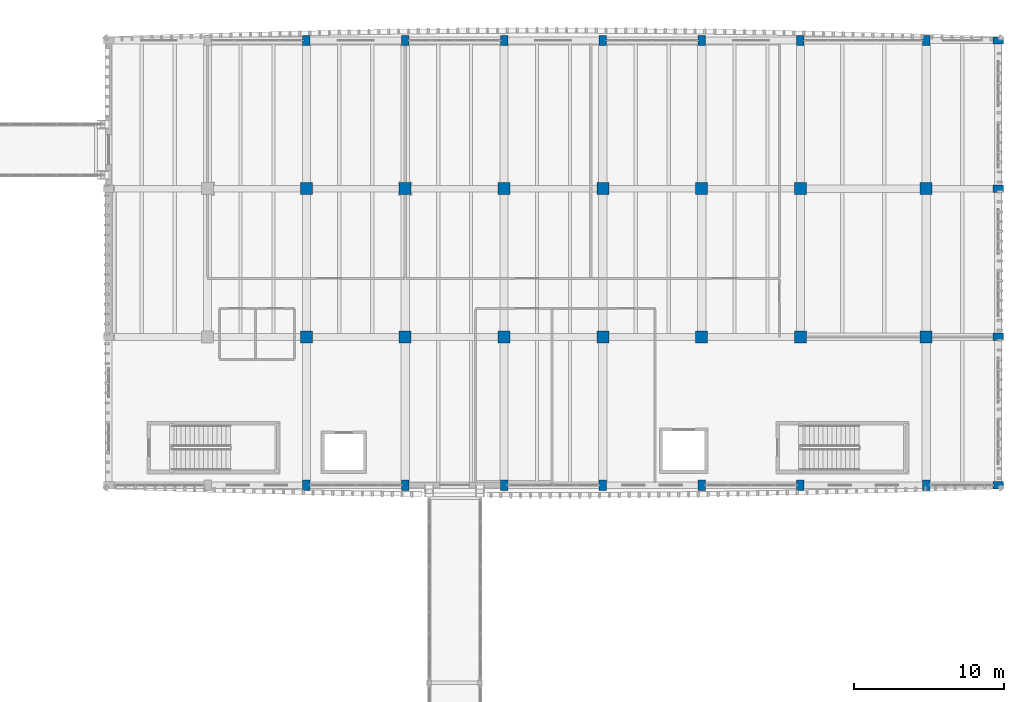
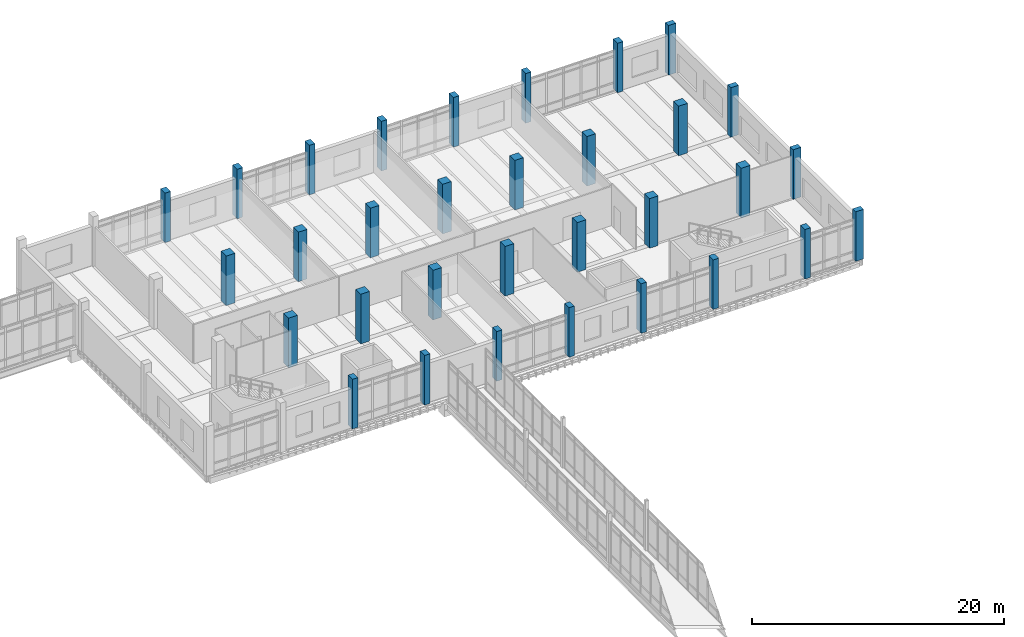
# One storey, part 14 of 125: 32 columns.
"""IFC4 building model written with IfcOpenShell, lengths in metres."""

from ifc_helpers import new_model, si_unit, direction, frame, origin, origin_2d, place, context, subcontext, project, spatial, rectangle, extrude, material, material_profile, profile_set, type_object, element, save


model = new_model("IFC4")

# Units and contexts
model_context = context("Model", 3, precision=1e-05, world=origin(), true_north=direction((0.0, 1.0)))
body_context = subcontext(model_context, "Body", "Model", "MODEL_VIEW")
ifc_project = project(units=[si_unit("LENGTHUNIT", "METRE"), si_unit("AREAUNIT", "SQUARE_METRE"), si_unit("VOLUMEUNIT", "CUBIC_METRE"), si_unit("PLANEANGLEUNIT", "RADIAN"), si_unit("MASSUNIT", "GRAM", prefix="KILO")], contexts=[model_context])

# Site, building, storey
site_placement = place(None, origin())
site = spatial("IfcSite", under=ifc_project, at=site_placement, CompositionType="ELEMENT")
building_placement = place(site_placement, origin())
building = spatial("IfcBuilding", under=site, at=building_placement, Name="Dornvale Research Institute", CompositionType="ELEMENT")
storey_placement = place(building_placement, frame((0.0, 0.0, 5.39990234375)))
storey = spatial("IfcBuildingStorey", under=building, at=storey_placement, Name="L01", CompositionType="ELEMENT", Elevation=5.39990234375)

# Columns
ifc_material_1 = material(Name="Concrete f'c 50 MPa (C40/50)", Category="concrete")
ifc_material_profile_1 = material_profile(ifc_material_1, rectangle(XDim=0.800048828125, YDim=0.800048828125, at=origin_2d()), Name="RC 800x800")
ifc_profile_set_1 = profile_set([ifc_material_profile_1], Name="Concrete f'c 50 MPa (C40/50)")
column_type_1 = type_object("IfcColumnType", Name="Column_RC800", PredefinedType="COLUMN", material=ifc_profile_set_1)
for number, where, z_axis, x_axis, name in (
    (1, (132.0, 102.300048828125, 0.0), (0.0, 0.0, 1.0), (1.0, 0.0, 0.0), "L01 column #503"),
    (2, (132.0, 112.199951171875, 0.0), (0.0, 0.0, 1.0), (1.0, 0.0, 0.0), "L01 column #504"),
    (3, (138.60009765625, 102.300048828125, 0.0), (0.0, 0.0, 1.0), (1.0, 0.0, 0.0), "L01 column #507"),
    (4, (138.60009765625, 112.199951171875, 0.0), (0.0, 0.0, 1.0), (1.0, 0.0, 0.0), "L01 column #508"),
    (5, (145.199951171875, 102.300048828125, 0.0), (0.0, 0.0, 1.0), (1.0, 0.0, 0.0), "L01 column #511"),
    (6, (145.199951171875, 112.199951171875, 0.0), (0.0, 0.0, 1.0), (1.0, 0.0, 0.0), "L01 column #512"),
    (7, (151.800048828125, 102.300048828125, 0.0), (0.0, 0.0, 1.0), (1.0, 0.0, 0.0), "L01 column #515"),
    (8, (151.800048828125, 112.199951171875, 0.0), (0.0, 0.0, 1.0), (1.0, 0.0, 0.0), "L01 column #516"),
    (9, (158.39990234375, 102.300048828125, 0.0), (0.0, 0.0, 1.0), (1.0, 0.0, 0.0), "L01 column #519"),
    (10, (158.39990234375, 112.199951171875, 0.0), (0.0, 0.0, 1.0), (1.0, 0.0, 0.0), "L01 column #520"),
    (11, (165.0, 102.300048828125, 0.0), (0.0, 0.0, 1.0), (1.0, 0.0, 0.0), "L01 column #523"),
    (12, (165.0, 112.199951171875, 0.0), (0.0, 0.0, 1.0), (1.0, 0.0, 0.0), "L01 column #524"),
    (13, (173.39990234375, 102.300048828125, 0.0), (0.0, 0.0, 1.0), (1.0, 0.0, 0.0), "L01 column #527"),
    (14, (173.39990234375, 112.199951171875, 0.0), (0.0, 0.0, 1.0), (1.0, 0.0, 0.0), "L01 column #528"),
):
    element("IfcColumn", number, at=place(storey_placement, frame(where, z_axis=z_axis, x_axis=x_axis)), inside=storey, type_object=column_type_1, Name=name, PredefinedType="COLUMN", context=body_context, shape_type="SweptSolid", body=[
        extrude(rectangle(XDim=0.800048828125, YDim=0.800048828125, at=origin_2d()), origin(), (0.0, 0.0, 1.0), 4.800048828125),
    ])
ifc_material_2 = material(Name="Concrete f'c 50 MPa (C40/50)", Category="concrete")
ifc_material_profile_2 = material_profile(ifc_material_2, rectangle(XDim=0.5, YDim=0.699951171875, at=origin_2d()), Name="RC 500x700")
ifc_profile_set_2 = profile_set([ifc_material_profile_2], Name="Concrete f'c 50 MPa (C40/50)")
column_type_2 = type_object("IfcColumnType", Name="Pilaster_RC500x700_Ext", PredefinedType="PILASTER", material=ifc_profile_set_2)
for number, where, z_axis, x_axis, name in (
    (15, (132.0, 92.39990234375, 0.0), (0.0, 0.0, 1.0), (1.0, 0.0, 0.0), "L01 column #502"),
    (16, (132.0, 122.10009765625, 0.0), (0.0, 0.0, 1.0), (1.0, 0.0, 0.0), "L01 column #505"),
    (17, (138.60009765625, 92.39990234375, 0.0), (0.0, 0.0, 1.0), (1.0, 0.0, 0.0), "L01 column #506"),
    (18, (138.60009765625, 122.10009765625, 0.0), (0.0, 0.0, 1.0), (1.0, 0.0, 0.0), "L01 column #509"),
    (19, (145.199951171875, 92.39990234375, 0.0), (0.0, 0.0, 1.0), (1.0, 0.0, 0.0), "L01 column #510"),
    (20, (145.199951171875, 122.10009765625, 0.0), (0.0, 0.0, 1.0), (1.0, 0.0, 0.0), "L01 column #513"),
    (21, (151.800048828125, 92.39990234375, 0.0), (0.0, 0.0, 1.0), (1.0, 0.0, 0.0), "L01 column #514"),
    (22, (151.800048828125, 122.10009765625, 0.0), (0.0, 0.0, 1.0), (1.0, 0.0, 0.0), "L01 column #517"),
    (23, (158.39990234375, 92.39990234375, 0.0), (0.0, 0.0, 1.0), (1.0, 0.0, 0.0), "L01 column #518"),
    (24, (158.39990234375, 122.10009765625, 0.0), (0.0, 0.0, 1.0), (1.0, 0.0, 0.0), "L01 column #521"),
    (25, (165.0, 92.39990234375, 0.0), (0.0, 0.0, 1.0), (1.0, 0.0, 0.0), "L01 column #522"),
    (26, (165.0, 122.10009765625, 0.0), (0.0, 0.0, 1.0), (1.0, 0.0, 0.0), "L01 column #525"),
    (27, (173.39990234375, 92.39990234375, 0.0), (0.0, 0.0, 1.0), (1.0, 0.0, 0.0), "L01 column #526"),
    (28, (173.39990234375, 122.10009765625, 0.0), (0.0, 0.0, 1.0), (1.0, 0.0, 0.0), "L01 column #529"),
    (29, (178.199951171875, 92.39990234375, 0.0), (0.0, 0.0, 1.0), (0.0, 1.0, 0.0), "L01 column #530"),
    (30, (178.199951171875, 102.300048828125, 0.0), (0.0, 0.0, 1.0), (0.0, 1.0, 0.0), "L01 column #531"),
    (31, (178.199951171875, 112.199951171875, 0.0), (0.0, 0.0, 1.0), (0.0, 1.0, 0.0), "L01 column #532"),
    (32, (178.199951171875, 122.10009765625, 0.0), (0.0, 0.0, 1.0), (0.0, 1.0, 0.0), "L01 column #533"),
):
    element("IfcColumn", number, at=place(storey_placement, frame(where, z_axis=z_axis, x_axis=x_axis)), inside=storey, type_object=column_type_2, Name=name, PredefinedType="PILASTER", context=body_context, shape_type="SweptSolid", body=[
        extrude(rectangle(XDim=0.5, YDim=0.699951171875, at=origin_2d()), origin(), (0.0, 0.0, 1.0), 4.800048828125),
    ])

save(model, "model.ifc")
